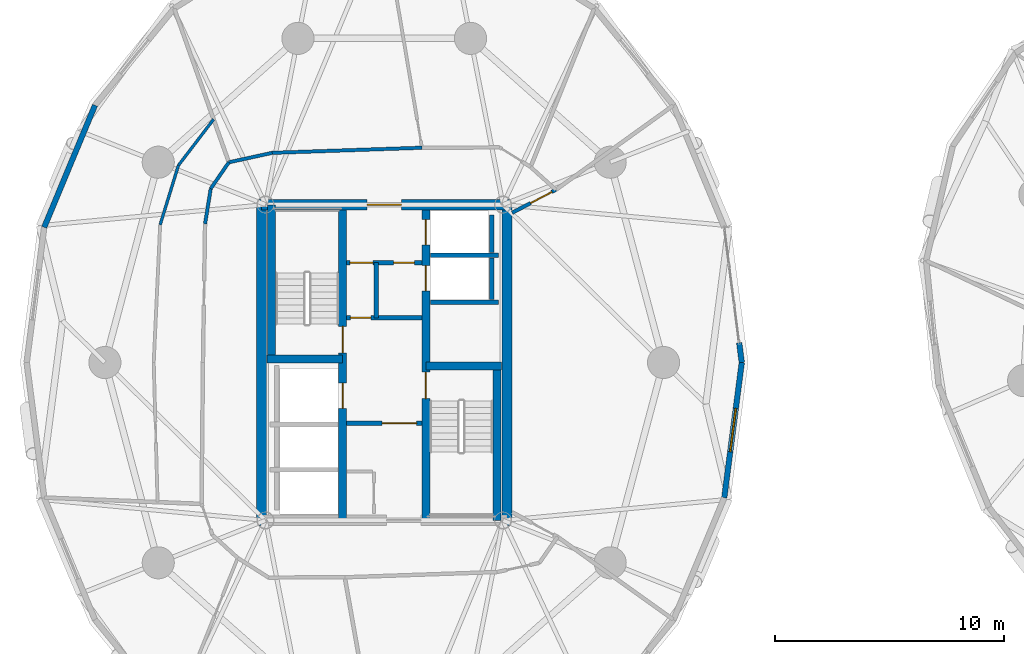
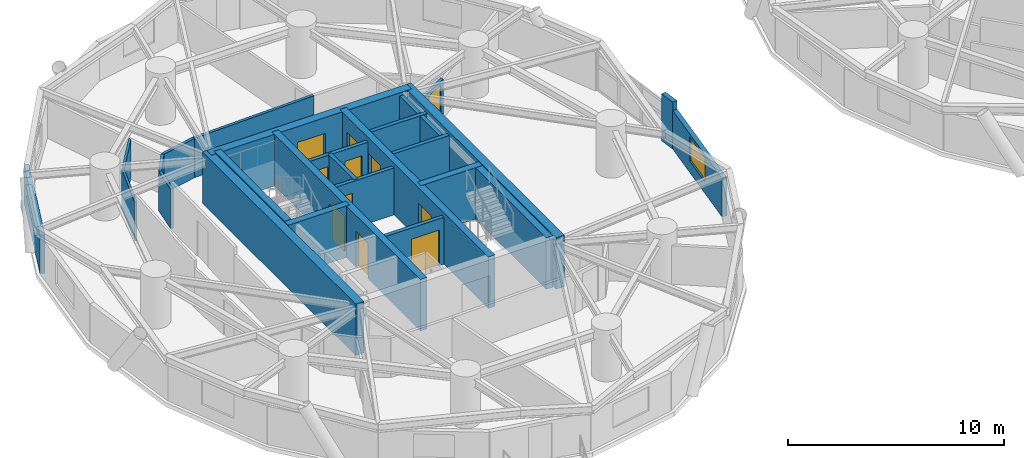
# One storey, part 10 of 17: 27 walls, 11 doors, 1 window, 12 openings.
"""IFC4 building model written with IfcOpenShell, lengths in metres."""

import ifcopenshell
import ifcopenshell.guid

model = None  # the IFC model being written
_history = None  # IfcOwnerHistory: only IFC2X3 demands one
_inside = {}  # id of a spatial element -> (the spatial element, [elements in it])
_under = {}  # id of a project, library or spatial element -> (it, [spatial elements below it])
_declared = {}  # id of a project -> (the project, [libraries it declares])
_typed = {}  # id of a type object -> (the type object, [elements of that type])
_made_of = {}  # id of a material, layer set ... -> (it, [elements and type objects made of it])


def new_model(schema):
    """Start an empty IFC model of exactly this schema.

    Asked for "IFC4X3", IfcOpenShell would pick the latest addendum, in which some entities
    have other attributes; the version numbers below select the first issue.
    IFC2X3 requires an IfcOwnerHistory on every rooted entity: one is made here for all.
    """
    global model, _history
    if schema == "IFC4X3":
        model = ifcopenshell.file(schema_version=(4, 3, 0, 0))
    else:
        model = ifcopenshell.file(schema=schema)
    _inside.clear()
    _under.clear()
    _declared.clear()
    _typed.clear()
    _made_of.clear()
    _history = None
    if model.schema == "IFC2X3":
        org = make("IfcOrganization", Name="unknown")
        user = make(
            "IfcPersonAndOrganization",
            ThePerson=make("IfcPerson", FamilyName="unknown"),
            TheOrganization=org,
        )
        app = make(
            "IfcApplication",
            ApplicationDeveloper=org,
            Version="unknown",
            ApplicationFullName="unknown",
            ApplicationIdentifier="unknown",
        )
        _history = make(
            "IfcOwnerHistory",
            OwningUser=user,
            OwningApplication=app,
            ChangeAction="ADDED",
            CreationDate=0,
        )
    return model


def make(cls, **values):
    """One entity of the class cls with the attributes given. An attribute that is None is left unset."""
    return model.create_entity(
        cls, **{name: value for name, value in values.items() if value is not None}
    )


def rooted(cls, **values):
    """An entity with a GlobalId (a new one), such as an element, a storey or a relation."""
    return make(cls, GlobalId=ifcopenshell.guid.new(), OwnerHistory=_history, **values)


def si_unit(unit_type, name, prefix=None):
    """IfcSIUnit, for example si_unit("LENGTHUNIT", "METRE", prefix="MILLI")."""
    return make("IfcSIUnit", UnitType=unit_type, Prefix=prefix, Name=name)


def assignment(units):
    """IfcUnitAssignment: the units of a project."""
    return None if units is None else make("IfcUnitAssignment", Units=units)


def point(xyz):
    """IfcCartesianPoint."""
    return None if xyz is None else make("IfcCartesianPoint", Coordinates=xyz)


def direction(xyz):
    """IfcDirection."""
    return None if xyz is None else make("IfcDirection", DirectionRatios=xyz)


def frame(location, z_axis=None, x_axis=None):
    """IfcAxis2Placement3D, a coordinate frame: its origin and axes. An axis left out is left unset."""
    return make(
        "IfcAxis2Placement3D",
        Location=point(location),
        Axis=direction(z_axis),
        RefDirection=direction(x_axis),
    )


def frame_2d(location, x_axis=None):
    """IfcAxis2Placement2D, a coordinate frame in the plane: its origin and x axis."""
    return make(
        "IfcAxis2Placement2D", Location=point(location), RefDirection=direction(x_axis)
    )


def origin():
    """The frame at (0, 0, 0) with its axes left unset."""
    return frame((0.0, 0.0, 0.0))


def place(relative_to, where):
    """IfcLocalPlacement: puts the frame where relative to a parent placement (None: the world)."""
    return make(
        "IfcLocalPlacement", PlacementRelTo=relative_to, RelativePlacement=where
    )


def context(
    kind, dimensions, precision=None, world=None, true_north=None, identifier=None
):
    """IfcGeometricRepresentationContext, for example the 3D "Model" context."""
    return make(
        "IfcGeometricRepresentationContext",
        ContextIdentifier=identifier,
        ContextType=kind,
        CoordinateSpaceDimension=dimensions,
        Precision=precision,
        WorldCoordinateSystem=world,
        TrueNorth=true_north,
    )


def subcontext(parent, identifier, kind, view, scale=None):
    """IfcGeometricRepresentationSubContext, for example "Body" below "Model"."""
    return make(
        "IfcGeometricRepresentationSubContext",
        ContextIdentifier=identifier,
        ContextType=kind,
        ParentContext=parent,
        TargetScale=scale,
        TargetView=view,
    )


def project(units=None, contexts=None):
    """IfcProject with its units and contexts."""
    return rooted(
        "IfcProject",
        Name="project",
        RepresentationContexts=contexts,
        UnitsInContext=assignment(units),
    )


def spatial(cls, under=None, at=None, **own):
    """A site, building, storey or space (cls), placed at a placement, below another one or the project."""
    s = rooted(cls, ObjectPlacement=at, **own)
    if under is not None:
        _under.setdefault(under.id(), (under, []))[1].append(s)
    return s


def profile(cls, at=None, kind="AREA", **sizes):
    """A parametric profile (cls). Its sizes go by their IFC names, for example OverallWidth=200.0."""
    return make(cls, ProfileType=kind, Position=at, **sizes)


def rectangle(**sizes):
    """IfcRectangleProfileDef."""
    return profile("IfcRectangleProfileDef", **sizes)


def extrude(swept, where, along, depth):
    """IfcExtrudedAreaSolid: the profile swept, set in the frame where, extruded along a direction by depth."""
    return make(
        "IfcExtrudedAreaSolid",
        SweptArea=swept,
        Position=where,
        ExtrudedDirection=direction(along),
        Depth=depth,
    )


def shape(context_of_items, identifier, shape_type, items):
    """IfcShapeRepresentation: the items that make up one representation, for example the "Body"."""
    return make(
        "IfcShapeRepresentation",
        ContextOfItems=context_of_items,
        RepresentationIdentifier=identifier,
        RepresentationType=shape_type,
        Items=items,
    )


def source(mapping_origin, context_of_items, identifier, shape_type, items):
    """IfcRepresentationMap: a shape defined once, which mapped items show again and again."""
    return make(
        "IfcRepresentationMap",
        MappingOrigin=mapping_origin,
        MappedRepresentation=shape(context_of_items, identifier, shape_type, items),
    )


def transform(
    local_origin,
    x_axis=None,
    y_axis=None,
    z_axis=None,
    scale=None,
    scale2=None,
    scale3=None,
    uniform=True,
):
    """IfcCartesianTransformationOperator3D, or its non-uniform kind. x_axis, y_axis, z_axis: its Axis1, 2, 3."""
    if uniform:
        return make(
            "IfcCartesianTransformationOperator3D",
            Axis1=direction(x_axis),
            Axis2=direction(y_axis),
            LocalOrigin=point(local_origin),
            Scale=scale,
            Axis3=direction(z_axis),
        )
    return make(
        "IfcCartesianTransformationOperator3DnonUniform",
        Axis1=direction(x_axis),
        Axis2=direction(y_axis),
        LocalOrigin=point(local_origin),
        Scale=scale,
        Axis3=direction(z_axis),
        Scale2=scale2,
        Scale3=scale3,
    )


def mapped(mapping_source, mapping_target):
    """IfcMappedItem: shows the shape of a source again, moved by a transform."""
    return make(
        "IfcMappedItem", MappingSource=mapping_source, MappingTarget=mapping_target
    )


def material(Name=None, Category=None):
    """IfcMaterial."""
    return make("IfcMaterial", Name=Name, Category=Category)


def layer(
    of_material, thickness, ventilated=None, Name=None, Category=None, Priority=None
):
    """IfcMaterialLayer: one layer of a wall or slab, of a material (None: an air gap)."""
    return make(
        "IfcMaterialLayer",
        Material=of_material,
        LayerThickness=thickness,
        IsVentilated=ventilated,
        Name=Name,
        Category=Category,
        Priority=Priority,
    )


def layer_set(layers, Name=None):
    """IfcMaterialLayerSet."""
    return make("IfcMaterialLayerSet", MaterialLayers=layers, LayerSetName=Name)


def made_of(thing, what):
    """Note that an element or type object is made of a material, layer set ...; save() writes the relation."""
    if what is not None:
        _made_of.setdefault(what.id(), (what, []))[1].append(thing)
    return thing


def type_object(cls, material=None, **own):
    """A type object (cls), such as IfcWallType, which elements share."""
    return made_of(rooted(cls, **own), material)


def element(
    cls,
    number,
    at=None,
    inside=None,
    cuts=None,
    type_object=None,
    material=None,
    context=None,
    identifier="Body",
    shape_type=None,
    held_by="IfcProductDefinitionShape",
    body=None,
    shapes=None,
    **own,
):
    """One element of the class cls, such as IfcWall. Its Tag is "e" and its number.

    at: its placement. inside: the storey or other place that contains it. cuts: it is an
    opening in that element (IfcRelVoidsElement). A single representation is given by context,
    identifier, shape_type and body (its items); several are given by shapes. held_by: the class
    of the entity that holds the representations. save() writes the other relations.
    """
    e = rooted(cls, Tag="e%d" % number, ObjectPlacement=at, **own)
    if body is not None:
        shapes = [shape(context, identifier, shape_type, body)]
    if shapes is not None:
        e.Representation = make(held_by, Representations=shapes)
    if inside is not None:
        _inside.setdefault(inside.id(), (inside, []))[1].append(e)
    if cuts is not None:
        rooted(
            "IfcRelVoidsElement", RelatingBuildingElement=cuts, RelatedOpeningElement=e
        )
    if type_object is not None:
        _typed.setdefault(type_object.id(), (type_object, []))[1].append(e)
    return made_of(e, material)


def fill(opening, filler):
    """IfcRelFillsElement: the door or window that sits in an opening."""
    return rooted(
        "IfcRelFillsElement",
        RelatingOpeningElement=opening,
        RelatedBuildingElement=filler,
    )


def aggregate(whole, parts):
    """IfcRelAggregates: a whole, such as a stair, and the parts it consists of."""
    return rooted("IfcRelAggregates", RelatingObject=whole, RelatedObjects=parts)


def save(model, path):
    """Write the relations noted so far, then the file.

    IfcRelAggregates (storeys below a building ...), IfcRelContainedInSpatialStructure (elements
    in a storey), IfcRelDefinesByType, IfcRelAssociatesMaterial and IfcRelDeclares: one each for
    every whole, place, type object, material and project.
    """
    for whole, parts in _under.values():
        aggregate(whole, parts)
    for where, things in _inside.values():
        rooted(
            "IfcRelContainedInSpatialStructure",
            RelatedElements=things,
            RelatingStructure=where,
        )
    for kind, things in _typed.values():
        rooted("IfcRelDefinesByType", RelatedObjects=things, RelatingType=kind)
    for what, things in _made_of.values():
        rooted("IfcRelAssociatesMaterial", RelatedObjects=things, RelatingMaterial=what)
    for by, libraries in _declared.values():
        rooted("IfcRelDeclares", RelatingContext=by, RelatedDefinitions=libraries)
    model.write(path)


model = new_model("IFC4")

# Units and contexts
model_context = context("Model", 3, precision=1e-05, world=origin(), true_north=direction((0.0, 1.0)))
body_context = subcontext(model_context, "Body", "Model", "MODEL_VIEW")
ifc_project = project(units=[si_unit("LENGTHUNIT", "METRE"), si_unit("AREAUNIT", "SQUARE_METRE"), si_unit("VOLUMEUNIT", "CUBIC_METRE"), si_unit("PLANEANGLEUNIT", "RADIAN"), si_unit("MASSUNIT", "GRAM", prefix="KILO")], contexts=[model_context])

# Site, building, storey
site_placement = place(None, origin())
site = spatial("IfcSite", under=ifc_project, at=site_placement, CompositionType="ELEMENT")
building_placement = place(site_placement, origin())
building = spatial("IfcBuilding", under=site, at=building_placement, Name="Cununo Teusaquillo Station Towers", CompositionType="ELEMENT")
storey_placement = place(building_placement, frame((0.0, 0.0, 113.800048828125)))
storey = spatial("IfcBuildingStorey", under=building, at=storey_placement, Name="L36", CompositionType="ELEMENT", Elevation=113.800048828125)

# Walls
ifc_material_1 = material(Name="Concrete C50/60", Category="concrete")
ifc_layer_1 = layer(ifc_material_1, 0.199951171875)
ifc_layer_set_1 = layer_set([ifc_layer_1], Name="Concrete C50/60")
wall_type_1 = type_object("IfcWallType", Name="WL-CORE-200", PredefinedType="SHEAR", material=ifc_layer_set_1)
for number, where, z_axis, x_axis, name in (
    (1, (18.510009765625, 27.1298828125, 0.0), (0.0, 0.0, 1.0), (1.0, 0.0, 0.0), "L36 Tower A Low-Rise Lift Hoistway South Shear Wall"),
    (2, (18.510009765625, 29.175048828125, 0.0), (0.0, 0.0, 1.0), (1.0, 0.0, 0.0), "L36 Tower A Low-Rise Lift Hoistway Divider Shear Wall"),
):
    element("IfcWall", number, at=place(storey_placement, frame(where, z_axis=z_axis, x_axis=x_axis)), inside=storey, type_object=wall_type_1, Name=name, PredefinedType="SHEAR", context=body_context, shape_type="SweptSolid", body=[
        extrude(rectangle(XDim=2.969970703125, YDim=0.199951171875, at=frame_2d((1.48486328125, 0.0))), origin(), (0.0, 0.0, 1.0), 2.909912109375),
    ])
wall_1_placement = place(storey_placement, frame((21.179931640625, 27.25, 0.0), z_axis=(0.0, 0.0, 1.0), x_axis=(0.0, 1.0, 0.0)))
element("IfcWall", 3, at=wall_1_placement, inside=storey, type_object=wall_type_1, Name="L36 Tower A Low-Rise Lift 1 Shaft Rear Shear Wall", PredefinedType="SHEAR", context=body_context, shape_type="SweptSolid", body=[
    extrude(rectangle(XDim=1.804931640625, YDim=0.199951171875, at=frame_2d((0.90234375, 0.0))), origin(), (0.0, 0.0, 1.0), 2.909912109375),
])
wall_2_placement = place(storey_placement, frame((21.179931640625, 29.294921875, 0.0), z_axis=(0.0, 0.0, 1.0), x_axis=(0.0, 1.0, 0.0)))
element("IfcWall", 4, at=wall_2_placement, inside=storey, type_object=wall_type_1, Name="L36 Tower A Low-Rise Lift 2 Shaft Rear Shear Wall", PredefinedType="SHEAR", context=body_context, shape_type="SweptSolid", body=[
    extrude(rectangle(XDim=1.635009765625, YDim=0.199951171875, at=frame_2d((0.8173828125, 0.0))), origin(), (0.0, 0.0, 1.0), 2.909912109375),
])

# Wall, openings, doors
ifc_material_2 = material(Name="Concrete C50/60", Category="concrete")
ifc_layer_2 = layer(ifc_material_2, 0.35009765625)
ifc_layer_set_2 = layer_set([ifc_layer_2], Name="Concrete C50/60")
wall_type_2 = type_object("IfcWallType", Name="WL-CORE-350", PredefinedType="SHEAR", material=ifc_layer_set_2)
wall_3_placement = place(storey_placement, frame((14.68505859375, 17.625, 0.0), z_axis=(0.0, 0.0, 1.0), x_axis=(0.0, 1.0, 0.0)))
wall_3 = element("IfcWall", 5, at=wall_3_placement, inside=storey, type_object=wall_type_2, Name="L36 Tower A Core Shear Wall IW", PredefinedType="SHEAR", context=body_context, shape_type="SweptSolid", body=[
    extrude(rectangle(XDim=13.75, YDim=0.35009765625, at=frame_2d((6.875, 0.0))), origin(), (0.0, 0.0, 1.0), 2.909912109375),
])
shared_shape_1 = source(origin(), body_context, "Body", "SweptSolid", [
    extrude(rectangle(XDim=1.10009765625, YDim=2.014892578125, at=frame_2d((0.550048828125, 1.00732421875))), frame((0.0, 0.18505859375, 0.0), z_axis=(0.0, -1.0, 0.0), x_axis=(1.0, 0.0, 0.0)), (0.0, 0.0, 1.0), 0.3701171875),
])
opening_1_placement = place(wall_3_placement, frame((4.875, 0.0, 0.0)))
opening_1 = element("IfcOpeningElement", 6, at=opening_1_placement, cuts=wall_3, Name="Opening LD-01", PredefinedType="OPENING", context=body_context, shape_type="MappedRepresentation", body=[
    mapped(shared_shape_1, transform((0.0, 0.0, 0.0), x_axis=(1.0, 0.0, 0.0), y_axis=(0.0, 1.0, 0.0), z_axis=(0.0, 0.0, 1.0), scale=1.0)),
])
shared_shape_2 = source(origin(), body_context, "Body", "SweptSolid", [
    extrude(rectangle(XDim=1.14990234375, YDim=2.02001953125, at=frame_2d((0.574951171875, 1.010009765625))), frame((0.0, 0.18505859375, 0.0), z_axis=(0.0, -1.0, 0.0), x_axis=(1.0, 0.0, 0.0)), (0.0, 0.0, 1.0), 0.3701171875),
])
opening_2_placement = place(wall_3_placement, frame((7.294921875, 0.0, 0.0)))
opening_2 = element("IfcOpeningElement", 7, at=opening_2_placement, cuts=wall_3, Name="Opening D-ST1", PredefinedType="OPENING", context=body_context, shape_type="MappedRepresentation", body=[
    mapped(shared_shape_2, transform((0.0, 0.0, 0.0), x_axis=(1.0, 0.0, 0.0), y_axis=(0.0, 1.0, 0.0), z_axis=(0.0, 0.0, 1.0), scale=1.0)),
])
ifc_material_3 = material(Name="Galvanised fire-rated hollow steel door assembly", Category="steel")
door_type_1 = type_object("IfcDoorType", Name="DR-LIFT-1100", OperationType="SLIDING_TO_LEFT", PredefinedType="DOOR", material=ifc_material_3)
shared_shape_3 = source(origin(), body_context, "Body", "SweptSolid", [
    extrude(rectangle(XDim=1.10009765625, YDim=2.014892578125, at=frame_2d((0.550048828125, 1.00732421875))), frame((0.0, 0.02490234375, 0.0), z_axis=(0.0, -1.0, 0.0), x_axis=(1.0, 0.0, 0.0)), (0.0, 0.0, 1.0), 0.050048828125),
])
door_1_placement = place(opening_1_placement, origin())
door_1 = element("IfcDoor", 8, at=door_1_placement, inside=storey, type_object=door_type_1, Name="L36 Lift FL-T1 Sliding Landing Door", OperationType="SLIDING_TO_LEFT", OverallHeight=2.014892578125, OverallWidth=1.10009765625, PredefinedType="DOOR", context=body_context, shape_type="MappedRepresentation", body=[
    mapped(shared_shape_3, transform((0.0, 0.0, 0.0), x_axis=(1.0, 0.0, 0.0), y_axis=(0.0, 1.0, 0.0), z_axis=(0.0, 0.0, 1.0), scale=1.0)),
])
fill(opening_1, door_1)
ifc_material_4 = material(Name="Galvanised fire-rated hollow steel door assembly", Category="steel")
door_type_2 = type_object("IfcDoorType", Name="DR-STAIR-1150", OperationType="NOTDEFINED", PredefinedType="DOOR", material=ifc_material_4)
shared_shape_4 = source(origin(), body_context, "Body", "SweptSolid", [
    extrude(rectangle(XDim=1.14990234375, YDim=2.02001953125, at=frame_2d((0.574951171875, 1.010009765625))), frame((0.0, 0.02490234375, 0.0), z_axis=(0.0, -1.0, 0.0), x_axis=(1.0, 0.0, 0.0)), (0.0, 0.0, 1.0), 0.050048828125),
])
door_2_placement = place(opening_2_placement, origin())
door_2 = element("IfcDoor", 9, at=door_2_placement, inside=storey, type_object=door_type_2, Name="L36 Tower A Exit Stair 1 Fire Door", OperationType="SINGLE_SWING_RIGHT", OverallHeight=2.02001953125, OverallWidth=1.14990234375, PredefinedType="DOOR", context=body_context, shape_type="MappedRepresentation", body=[
    mapped(shared_shape_4, transform((0.0, 0.0, 0.0), x_axis=(1.0, 0.0, 0.0), y_axis=(0.0, 1.0, 0.0), z_axis=(0.0, 0.0, 1.0), scale=1.0)),
])
fill(opening_2, door_2)

wall_4_placement = place(storey_placement, frame((18.31494140625, 17.625, 0.0), z_axis=(0.0, 0.0, 1.0), x_axis=(0.0, 1.0, 0.0)))
wall_4 = element("IfcWall", 10, at=wall_4_placement, inside=storey, type_object=wall_type_2, Name="L36 Tower A Core Shear Wall IE", PredefinedType="SHEAR", context=body_context, shape_type="SweptSolid", body=[
    extrude(rectangle(XDim=13.75, YDim=0.35009765625, at=frame_2d((6.875, 0.0))), origin(), (0.0, 0.0, 1.0), 2.909912109375),
])
opening_3_placement = place(wall_4_placement, frame((10.0, 0.0, 0.0)))
opening_3 = element("IfcOpeningElement", 11, at=opening_3_placement, cuts=wall_4, Name="Opening LD-01", PredefinedType="OPENING", context=body_context, shape_type="MappedRepresentation", body=[
    mapped(shared_shape_1, transform((0.0, 0.0, 0.0), x_axis=(1.0, 0.0, 0.0), y_axis=(0.0, 1.0, 0.0), z_axis=(0.0, 0.0, 1.0), scale=1.0)),
])
opening_4_placement = place(wall_4_placement, frame((12.0, 0.0, 0.0)))
opening_4 = element("IfcOpeningElement", 12, at=opening_4_placement, cuts=wall_4, Name="Opening LD-01", PredefinedType="OPENING", context=body_context, shape_type="MappedRepresentation", body=[
    mapped(shared_shape_1, transform((0.0, 0.0, 0.0), x_axis=(1.0, 0.0, 0.0), y_axis=(0.0, 1.0, 0.0), z_axis=(0.0, 0.0, 1.0), scale=1.0)),
])
opening_5_placement = place(wall_4_placement, frame((5.304931640625, 0.0, 0.0)))
opening_5 = element("IfcOpeningElement", 13, at=opening_5_placement, cuts=wall_4, Name="Opening D-ST1", PredefinedType="OPENING", context=body_context, shape_type="MappedRepresentation", body=[
    mapped(shared_shape_2, transform((0.0, 0.0, 0.0), x_axis=(1.0, 0.0, 0.0), y_axis=(0.0, 1.0, 0.0), z_axis=(0.0, 0.0, 1.0), scale=1.0)),
])
door_3_placement = place(opening_3_placement, origin())
door_3 = element("IfcDoor", 14, at=door_3_placement, inside=storey, type_object=door_type_1, Name="L36 Lift PL-T1-L1 Sliding Landing Door", OperationType="SLIDING_TO_LEFT", OverallHeight=2.014892578125, OverallWidth=1.10009765625, PredefinedType="DOOR", context=body_context, shape_type="MappedRepresentation", body=[
    mapped(shared_shape_3, transform((0.0, 0.0, 0.0), x_axis=(1.0, 0.0, 0.0), y_axis=(0.0, 1.0, 0.0), z_axis=(0.0, 0.0, 1.0), scale=1.0)),
])
fill(opening_3, door_3)
door_4_placement = place(opening_4_placement, origin())
door_4 = element("IfcDoor", 15, at=door_4_placement, inside=storey, type_object=door_type_1, Name="L36 Lift PL-T1-L2 Sliding Landing Door", OperationType="SLIDING_TO_RIGHT", OverallHeight=2.014892578125, OverallWidth=1.10009765625, PredefinedType="DOOR", context=body_context, shape_type="MappedRepresentation", body=[
    mapped(shared_shape_3, transform((0.0, 0.0, 0.0), x_axis=(1.0, 0.0, 0.0), y_axis=(0.0, 1.0, 0.0), z_axis=(0.0, 0.0, 1.0), scale=1.0)),
])
fill(opening_4, door_4)
door_5_placement = place(opening_5_placement, origin())
door_5 = element("IfcDoor", 16, at=door_5_placement, inside=storey, type_object=door_type_2, Name="L36 Tower A Exit Stair 2 Fire Door", OperationType="SINGLE_SWING_LEFT", OverallHeight=2.02001953125, OverallWidth=1.14990234375, PredefinedType="DOOR", context=body_context, shape_type="MappedRepresentation", body=[
    mapped(shared_shape_4, transform((0.0, 0.0, 0.0), x_axis=(1.0, 0.0, 0.0), y_axis=(0.0, 1.0, 0.0), z_axis=(0.0, 0.0, 1.0), scale=1.0)),
])
fill(opening_5, door_5)

# Walls
wall_5_placement = place(storey_placement, frame((11.594970703125, 24.655029296875, 0.0), z_axis=(0.0, 0.0, 1.0), x_axis=(0.0, 1.0, 0.0)))
element("IfcWall", 17, at=wall_5_placement, inside=storey, type_object=wall_type_2, Name="L36 Tower A Core Shear Wall ST1W", PredefinedType="SHEAR", context=body_context, shape_type="SweptSolid", body=[
    extrude(rectangle(XDim=6.719970703125, YDim=0.35009765625, at=frame_2d((3.35986328125, 0.0))), origin(), (0.0, 0.0, 1.0), 2.909912109375),
])
wall_6_placement = place(storey_placement, frame((11.39990234375, 24.655029296875, 0.0), z_axis=(0.0, 0.0, 1.0), x_axis=(1.0, 0.0, 0.0)))
element("IfcWall", 18, at=wall_6_placement, inside=storey, type_object=wall_type_2, Name="L36 Tower A Core Shear Wall ST1S", PredefinedType="SHEAR", context=body_context, shape_type="SweptSolid", body=[
    extrude(rectangle(XDim=3.28515625, YDim=0.35009765625, at=frame_2d((1.642578125, 0.0))), origin(), (0.0, 0.0, 1.0), 2.909912109375),
])
wall_7_placement = place(storey_placement, frame((21.405029296875, 17.625, 0.0), z_axis=(0.0, 0.0, 1.0), x_axis=(0.0, 1.0, 0.0)))
element("IfcWall", 19, at=wall_7_placement, inside=storey, type_object=wall_type_2, Name="L36 Tower A Core Shear Wall ST2E", PredefinedType="SHEAR", context=body_context, shape_type="SweptSolid", body=[
    extrude(rectangle(XDim=6.719970703125, YDim=0.35009765625, at=frame_2d((3.35986328125, 0.0))), origin(), (0.0, 0.0, 1.0), 2.909912109375),
])
wall_8_placement = place(storey_placement, frame((18.31494140625, 24.344970703125, 0.0), z_axis=(0.0, 0.0, 1.0), x_axis=(1.0, 0.0, 0.0)))
element("IfcWall", 20, at=wall_8_placement, inside=storey, type_object=wall_type_2, Name="L36 Tower A Core Shear Wall ST2N", PredefinedType="SHEAR", context=body_context, shape_type="SweptSolid", body=[
    extrude(rectangle(XDim=3.28515625, YDim=0.35009765625, at=frame_2d((1.642578125, 0.0))), origin(), (0.0, 0.0, 1.0), 2.909912109375),
])
ifc_material_5 = material(Name="Concrete C60/75", Category="concrete")
ifc_layer_3 = layer(ifc_material_5, 0.449951171875)
ifc_layer_set_3 = layer_set([ifc_layer_3], Name="Concrete C60/75")
wall_type_3 = type_object("IfcWallType", Name="WL-CORE-450", PredefinedType="SHEAR", material=ifc_layer_set_3)
for number, where, z_axis, x_axis, name in (
    (21, (11.14990234375, 17.39990234375, 0.0), (0.0, 0.0, 1.0), (0.0, 1.0, 0.0), "L36 Tower A Core Shear Wall W"),
    (22, (21.85009765625, 17.39990234375, 0.0), (0.0, 0.0, 1.0), (0.0, 1.0, 0.0), "L36 Tower A Core Shear Wall E"),
):
    element("IfcWall", number, at=place(storey_placement, frame(where, z_axis=z_axis, x_axis=x_axis)), inside=storey, type_object=wall_type_3, Name=name, PredefinedType="SHEAR", context=body_context, shape_type="SweptSolid", body=[
        extrude(rectangle(XDim=14.2001953125, YDim=0.449951171875, at=frame_2d((7.10009765625, 0.0))), origin(), (0.0, 0.0, 1.0), 2.909912109375),
    ])

# Wall, opening, door
wall_9_placement = place(storey_placement, frame((11.14990234375, 31.375, 0.0), z_axis=(0.0, 0.0, 1.0), x_axis=(1.0, 0.0, 0.0)))
wall_9 = element("IfcWall", 23, at=wall_9_placement, inside=storey, type_object=wall_type_3, Name="L36 Tower A Core Shear Wall N", PredefinedType="SHEAR", context=body_context, shape_type="SweptSolid", body=[
    extrude(rectangle(XDim=10.7001953125, YDim=0.449951171875, at=frame_2d((5.35009765625, 0.0))), origin(), (0.0, 0.0, 1.0), 2.909912109375),
])
shared_shape_5 = source(origin(), body_context, "Body", "SweptSolid", [
    extrude(rectangle(XDim=1.5, YDim=2.02001953125, at=frame_2d((0.75, 1.010009765625))), frame((0.0, 0.23486328125, 0.0), z_axis=(0.0, -1.0, 0.0), x_axis=(1.0, 0.0, 0.0)), (0.0, 0.0, 1.0), 0.469970703125),
])
opening_6_placement = place(wall_9_placement, frame((4.60009765625, 0.0, 0.0)))
opening_6 = element("IfcOpeningElement", 24, at=opening_6_placement, cuts=wall_9, Name="Opening D-LB1", PredefinedType="OPENING", context=body_context, shape_type="MappedRepresentation", body=[
    mapped(shared_shape_5, transform((0.0, 0.0, 0.0), x_axis=(1.0, 0.0, 0.0), y_axis=(0.0, 1.0, 0.0), z_axis=(0.0, 0.0, 1.0), scale=1.0)),
])
ifc_material_6 = material(Name="Galvanised fire-rated hollow steel door assembly", Category="steel")
door_type_3 = type_object("IfcDoorType", Name="DR-LOBBY-1500", OperationType="DOUBLE_DOOR_SINGLE_SWING", PredefinedType="DOOR", material=ifc_material_6)
shared_shape_6 = source(origin(), body_context, "Body", "SweptSolid", [
    extrude(rectangle(XDim=1.5, YDim=2.02001953125, at=frame_2d((0.75, 1.010009765625))), frame((0.0, 0.02490234375, 0.0), z_axis=(0.0, -1.0, 0.0), x_axis=(1.0, 0.0, 0.0)), (0.0, 0.0, 1.0), 0.050048828125),
])
door_6_placement = place(opening_6_placement, origin())
door_6 = element("IfcDoor", 25, at=door_6_placement, inside=storey, type_object=door_type_3, Name="L36 Tower A North Core Lift Lobby Door", OperationType="DOUBLE_DOOR_SINGLE_SWING", OverallHeight=2.02001953125, OverallWidth=1.5, PredefinedType="DOOR", context=body_context, shape_type="MappedRepresentation", body=[
    mapped(shared_shape_6, transform((0.0, 0.0, 0.0), x_axis=(1.0, 0.0, 0.0), y_axis=(0.0, 1.0, 0.0), z_axis=(0.0, 0.0, 1.0), scale=1.0)),
])
fill(opening_6, door_6)

# Walls
ifc_material_7 = material(Name="Precast concrete C40/50", Category="concrete")
ifc_layer_4 = layer(ifc_material_7, 0.239990234375)
ifc_layer_set_4 = layer_set([ifc_layer_4], Name="Precast concrete C40/50")
wall_type_4 = type_object("IfcWallType", Name="WL-EXT-240", PredefinedType="SOLIDWALL", material=ifc_layer_set_4)
wall_10_placement = place(storey_placement, frame((31.96923828125, 25.36279296875, 0.0), z_axis=(0.0, 0.0, 1.0), x_axis=(0.128523364007, -0.991706481225, 0.0)))
element("IfcWall", 26, at=wall_10_placement, inside=storey, type_object=wall_type_4, Name="L36 Tower A Column Pier Cladding Wall C00-PB", PredefinedType="SOLIDWALL", context=body_context, shape_type="SweptSolid", body=[
    extrude(rectangle(XDim=0.8701171875, YDim=0.239990234375, at=frame_2d((0.43505859375, 0.0))), origin(), (0.0, 0.0, 1.0), 2.655029296875),
])
wall_11_placement = place(storey_placement, frame((1.681640625, 30.39306640625, 0.0), z_axis=(0.0, 0.0, 1.0), x_axis=(0.384344417632, 0.923189779317, 0.0)))
element("IfcWall", 27, at=wall_11_placement, inside=storey, type_object=wall_type_4, Name="L36 Tower A Exterior Facade Wall C08", PredefinedType="SOLIDWALL", context=body_context, shape_type="SweptSolid", body=[
    extrude(rectangle(XDim=5.75830078125, YDim=0.239990234375, at=frame_2d((2.879150390625, 0.0))), origin(), (0.0, 0.0, 1.0), 2.178955078125),
])

# Wall, opening, window
wall_12_placement = place(storey_placement, frame((32.0810546875, 24.5, 0.0), z_axis=(0.0, 0.0, 1.0), x_axis=(-0.128351991996, -0.991728675672, 0.0)))
wall_12 = element("IfcWall", 28, at=wall_12_placement, inside=storey, type_object=wall_type_4, Name="L36 Tower A Exterior Facade Wall C19", PredefinedType="SOLIDWALL", context=body_context, shape_type="SweptSolid", body=[
    extrude(rectangle(XDim=5.942138671875, YDim=0.239990234375, at=frame_2d((2.97119140625, 0.0))), origin(), (0.0, 0.0, 1.0), 2.178955078125),
])
shared_shape_7 = source(origin(), body_context, "Body", "SweptSolid", [
    extrude(rectangle(XDim=1.89990234375, YDim=1.35009765625, at=frame_2d((0.949951171875, 0.675048828125))), frame((0.0, 0.1298828125, 0.0), z_axis=(0.0, -1.0, 0.0), x_axis=(1.0, 0.0, 0.0)), (0.0, 0.0, 1.0), 0.260009765625),
])
opening_7_placement = place(wall_12_placement, frame((2.02099609375, 0.0, 0.64990234375)))
opening_7 = element("IfcOpeningElement", 29, at=opening_7_placement, cuts=wall_12, Name="Opening WN-02", PredefinedType="OPENING", context=body_context, shape_type="MappedRepresentation", body=[
    mapped(shared_shape_7, transform((0.0, 0.0, 0.0), x_axis=(1.0, 0.0, 0.0), y_axis=(0.0, 1.0, 0.0), z_axis=(0.0, 0.0, 1.0), scale=1.0)),
])
ifc_material_8 = material(Name="Operable acoustic tinted low-E double glazing", Category="glass")
window_type = type_object("IfcWindowType", Name="WIN-OPER-1900", PartitioningType="DOUBLE_PANEL_VERTICAL", PredefinedType="WINDOW", material=ifc_material_8)
shared_shape_8 = source(origin(), body_context, "Body", "SweptSolid", [
    extrude(rectangle(XDim=1.89990234375, YDim=1.35009765625, at=frame_2d((0.949951171875, 0.675048828125))), frame((0.0, 0.030029296875, 0.0), z_axis=(0.0, -1.0, 0.0), x_axis=(1.0, 0.0, 0.0)), (0.0, 0.0, 1.0), 0.06005859375),
])
window_placement = place(opening_7_placement, origin())
window = element("IfcWindow", 30, at=window_placement, inside=storey, type_object=window_type, Name="L36 Tower A Facade Window C19", OverallHeight=1.35009765625, OverallWidth=1.89990234375, PartitioningType="DOUBLE_PANEL_VERTICAL", PredefinedType="WINDOW", context=body_context, shape_type="MappedRepresentation", body=[
    mapped(shared_shape_8, transform((0.0, 0.0, 0.0), x_axis=(1.0, 0.0, 0.0), y_axis=(0.0, 1.0, 0.0), z_axis=(0.0, 0.0, 1.0), scale=1.0)),
])
fill(opening_7, window)

# Walls
ifc_material_9 = material(Name="Fire-rated gypsum plasterboard partition assembly", Category="gypsum")
ifc_layer_5 = layer(ifc_material_9, 0.125)
ifc_layer_set_5 = layer_set([ifc_layer_5], Name="Fire-rated gypsum plasterboard partition assembly")
wall_type_5 = type_object("IfcWallType", Name="WL-PART-125", PredefinedType="PARTITIONING", material=ifc_layer_set_5)
wall_13_placement = place(storey_placement, frame((9.064208984375, 35.09716796875, 0.0), z_axis=(0.0, 0.0, 1.0), x_axis=(-0.607126893664, -0.794604892377, 0.0)))
element("IfcWall", 31, at=wall_13_placement, inside=storey, type_object=wall_type_5, Name="L36 Tower A Corporate Strategy Boardroom Concentric Partition Wall C07", PredefinedType="PARTITIONING", context=body_context, shape_type="SweptSolid", body=[
    extrude(rectangle(XDim=2.523681640625, YDim=0.125, at=frame_2d((1.26171875, 0.0))), origin(), (0.0, 0.0, 1.0), 2.178955078125),
])
wall_14_placement = place(storey_placement, frame((7.531982421875, 33.091796875, 0.0), z_axis=(0.0, 0.0, 1.0), x_axis=(-0.293965637063, -0.955815988685, 0.0)))
element("IfcWall", 32, at=wall_14_placement, inside=storey, type_object=wall_type_5, Name="L36 Tower A Corporate Strategy Boardroom Concentric Partition Wall C08", PredefinedType="PARTITIONING", context=body_context, shape_type="SweptSolid", body=[
    extrude(rectangle(XDim=2.711669921875, YDim=0.125, at=frame_2d((1.35595703125, 0.0))), origin(), (0.0, 0.0, 1.0), 2.224853515625),
])
ifc_material_10 = material(Name="Fire-rated gypsum plasterboard partition assembly", Category="gypsum")
ifc_layer_6 = layer(ifc_material_10, 0.14990234375)
ifc_layer_set_6 = layer_set([ifc_layer_6], Name="Fire-rated gypsum plasterboard partition assembly")
wall_type_6 = type_object("IfcWallType", Name="WL-PART-150", PredefinedType="PARTITIONING", material=ifc_layer_set_6)
wall_15_placement = place(storey_placement, frame((18.142822265625, 33.859619140625, 0.0), z_axis=(0.0, 0.0, 1.0), x_axis=(-0.999419208319, -0.034077060363, 0.0)))
element("IfcWall", 33, at=wall_15_placement, inside=storey, type_object=wall_type_6, Name="L36 Tower A Corridor Ring Wall C05", PredefinedType="PARTITIONING", context=body_context, shape_type="SweptSolid", body=[
    extrude(rectangle(XDim=6.52685546875, YDim=0.14990234375, at=frame_2d((3.263427734375, 0.0))), origin(), (0.0, 0.0, 1.0), 2.224853515625),
])
wall_16_placement = place(storey_placement, frame((11.619873046875, 33.63720703125, 0.0), z_axis=(0.0, 0.0, 1.0), x_axis=(-0.97702579435, -0.213121085711, 0.0)))
element("IfcWall", 34, at=wall_16_placement, inside=storey, type_object=wall_type_6, Name="L36 Tower A Corridor Ring Wall C06", PredefinedType="PARTITIONING", context=body_context, shape_type="SweptSolid", body=[
    extrude(rectangle(XDim=1.934814453125, YDim=0.14990234375, at=frame_2d((0.96728515625, 0.0))), origin(), (0.0, 0.0, 1.0), 2.224853515625),
])
wall_17_placement = place(storey_placement, frame((9.7294921875, 33.224853515625, 0.0), z_axis=(0.0, 0.0, 1.0), x_axis=(-0.567183649484, -0.82359134755, 0.0)))
element("IfcWall", 35, at=wall_17_placement, inside=storey, type_object=wall_type_6, Name="L36 Tower A Corridor Ring Wall C07", PredefinedType="PARTITIONING", context=body_context, shape_type="SweptSolid", body=[
    extrude(rectangle(XDim=1.39208984375, YDim=0.14990234375, at=frame_2d((0.696044921875, 0.0))), origin(), (0.0, 0.0, 1.0), 2.224853515625),
])
wall_18_placement = place(storey_placement, frame((8.93994140625, 32.078369140625, 0.0), z_axis=(0.0, 0.0, 1.0), x_axis=(-0.159148467753, -0.98725466077, 0.0)))
element("IfcWall", 36, at=wall_18_placement, inside=storey, type_object=wall_type_6, Name="L36 Tower A Corridor Ring Wall C08", PredefinedType="PARTITIONING", context=body_context, shape_type="SweptSolid", body=[
    extrude(rectangle(XDim=1.553955078125, YDim=0.14990234375, at=frame_2d((0.77685546875, 0.0))), origin(), (0.0, 0.0, 1.0), 2.224853515625),
])

# Wall, opening, door
ifc_material_11 = material(Name="Fire-rated gypsum plasterboard partition assembly", Category="gypsum")
ifc_layer_7 = layer(ifc_material_11, 0.159912109375)
ifc_layer_set_7 = layer_set([ifc_layer_7], Name="Fire-rated gypsum plasterboard partition assembly")
wall_type_7 = type_object("IfcWallType", Name="WL-PART-160", PredefinedType="PARTITIONING", material=ifc_layer_set_7)
wall_19_placement = place(storey_placement, frame((22.074951171875, 31.02490234375, 0.0), z_axis=(0.0, 0.0, 1.0), x_axis=(0.885026466958, 0.465540710125, 0.0)))
wall_19 = element("IfcWall", 37, at=wall_19_placement, inside=storey, type_object=wall_type_7, Name="L36 Tower A East Salon Corridor Portal Wall NE", PredefinedType="PARTITIONING", context=body_context, shape_type="SweptSolid", body=[
    extrude(rectangle(XDim=2.15234375, YDim=0.159912109375, at=frame_2d((1.076171875, 0.0))), origin(), (0.0, 0.0, 1.0), 2.224853515625),
])
shared_shape_9 = source(origin(), body_context, "Body", "SweptSolid", [
    extrude(rectangle(XDim=1.050048828125, YDim=2.014892578125, at=frame_2d((0.52490234375, 1.00732421875))), frame((0.0, 0.08984375, 0.0), z_axis=(0.0, -1.0, 0.0), x_axis=(1.0, 0.0, 0.0)), (0.0, 0.0, 1.0), 0.179931640625),
])
opening_8_placement = place(wall_19_placement, frame((0.902099609375, 0.0, 0.0)))
opening_8 = element("IfcOpeningElement", 38, at=opening_8_placement, cuts=wall_19, Name="Opening D-SU1", PredefinedType="OPENING", context=body_context, shape_type="MappedRepresentation", body=[
    mapped(shared_shape_9, transform((0.0, 0.0, 0.0), x_axis=(1.0, 0.0, 0.0), y_axis=(0.0, 1.0, 0.0), z_axis=(0.0, 0.0, 1.0), scale=1.0)),
])
ifc_material_12 = material(Name="Acoustic solid-core hardwood leaf assembly", Category="wood")
door_type_4 = type_object("IfcDoorType", Name="DR-SUITE-1050", OperationType="NOTDEFINED", PredefinedType="DOOR", material=ifc_material_12)
shared_shape_10 = source(origin(), body_context, "Body", "SweptSolid", [
    extrude(rectangle(XDim=1.050048828125, YDim=2.014892578125, at=frame_2d((0.52490234375, 1.00732421875))), frame((0.0, 0.02490234375, 0.0), z_axis=(0.0, -1.0, 0.0), x_axis=(1.0, 0.0, 0.0)), (0.0, 0.0, 1.0), 0.050048828125),
])
door_7_placement = place(opening_8_placement, origin())
door_7 = element("IfcDoor", 39, at=door_7_placement, inside=storey, type_object=door_type_4, Name="L36 Tower A East Panorama Sky Salon Door NE", OperationType="SINGLE_SWING_RIGHT", OverallHeight=2.014892578125, OverallWidth=1.050048828125, PredefinedType="DOOR", context=body_context, shape_type="MappedRepresentation", body=[
    mapped(shared_shape_10, transform((0.0, 0.0, 0.0), x_axis=(1.0, 0.0, 0.0), y_axis=(0.0, 1.0, 0.0), z_axis=(0.0, 0.0, 1.0), scale=1.0)),
])
fill(opening_8, door_7)

ifc_material_13 = material(Name="Fire-rated gypsum plasterboard partition assembly", Category="gypsum")
ifc_layer_8 = layer(ifc_material_13, 0.199951171875)
ifc_layer_set_8 = layer_set([ifc_layer_8], Name="Fire-rated gypsum plasterboard partition assembly")
wall_type_8 = type_object("IfcWallType", Name="WL-PART-200", PredefinedType="PARTITIONING", material=ifc_layer_set_8)
wall_20_placement = place(storey_placement, frame((14.860107421875, 21.85009765625, 0.0), z_axis=(0.0, 0.0, 1.0), x_axis=(1.0, 0.0, 0.0)))
wall_20 = element("IfcWall", 40, at=wall_20_placement, inside=storey, type_object=wall_type_8, Name="L36 Tower A Firefighting Lift Lobby South Fire Wall", PredefinedType="PARTITIONING", context=body_context, shape_type="SweptSolid", body=[
    extrude(rectangle(XDim=3.27978515625, YDim=0.199951171875, at=frame_2d((1.639892578125, 0.0))), origin(), (0.0, 0.0, 1.0), 2.655029296875),
])
shared_shape_11 = source(origin(), body_context, "Body", "SweptSolid", [
    extrude(rectangle(XDim=1.5, YDim=2.02001953125, at=frame_2d((0.75, 1.010009765625))), frame((0.0, 0.10986328125, 0.0), z_axis=(0.0, -1.0, 0.0), x_axis=(1.0, 0.0, 0.0)), (0.0, 0.0, 1.0), 0.219970703125),
])
opening_9_placement = place(wall_20_placement, frame((1.550048828125, 0.0, 0.0)))
opening_9 = element("IfcOpeningElement", 41, at=opening_9_placement, cuts=wall_20, Name="Opening D-LB1", PredefinedType="OPENING", context=body_context, shape_type="MappedRepresentation", body=[
    mapped(shared_shape_11, transform((0.0, 0.0, 0.0), x_axis=(1.0, 0.0, 0.0), y_axis=(0.0, 1.0, 0.0), z_axis=(0.0, 0.0, 1.0), scale=1.0)),
])
door_8_placement = place(opening_9_placement, origin())
door_8 = element("IfcDoor", 42, at=door_8_placement, inside=storey, type_object=door_type_3, Name="L36 Tower A Firefighting Lift Lobby South Fire Door", OperationType="DOUBLE_DOOR_SINGLE_SWING", OverallHeight=2.02001953125, OverallWidth=1.5, PredefinedType="DOOR", context=body_context, shape_type="MappedRepresentation", body=[
    mapped(shared_shape_6, transform((0.0, 0.0, 0.0), x_axis=(1.0, 0.0, 0.0), y_axis=(0.0, 1.0, 0.0), z_axis=(0.0, 0.0, 1.0), scale=1.0)),
])
fill(opening_9, door_8)

wall_21_placement = place(storey_placement, frame((14.860107421875, 26.449951171875, 0.0), z_axis=(0.0, 0.0, 1.0), x_axis=(1.0, 0.0, 0.0)))
wall_21 = element("IfcWall", 43, at=wall_21_placement, inside=storey, type_object=wall_type_8, Name="L36 Tower A Firefighting Lift Lobby North Fire Wall", PredefinedType="PARTITIONING", context=body_context, shape_type="SweptSolid", body=[
    extrude(rectangle(XDim=3.27978515625, YDim=0.199951171875, at=frame_2d((1.639892578125, 0.0))), origin(), (0.0, 0.0, 1.0), 2.655029296875),
])
shared_shape_12 = source(origin(), body_context, "Body", "SweptSolid", [
    extrude(rectangle(XDim=0.89990234375, YDim=2.0048828125, at=frame_2d((0.449951171875, 1.00244140625))), frame((0.0, 0.10986328125, 0.0), z_axis=(0.0, -1.0, 0.0), x_axis=(1.0, 0.0, 0.0)), (0.0, 0.0, 1.0), 0.219970703125),
])
opening_10_placement = place(wall_21_placement, frame((0.159912109375, 0.0, 0.0)))
opening_10 = element("IfcOpeningElement", 44, at=opening_10_placement, cuts=wall_21, Name="Opening D-SR1", PredefinedType="OPENING", context=body_context, shape_type="MappedRepresentation", body=[
    mapped(shared_shape_12, transform((0.0, 0.0, 0.0), x_axis=(1.0, 0.0, 0.0), y_axis=(0.0, 1.0, 0.0), z_axis=(0.0, 0.0, 1.0), scale=1.0)),
])
ifc_material_14 = material(Name="Galvanised fire-rated hollow steel door assembly", Category="steel")
door_type_5 = type_object("IfcDoorType", Name="DR-STORE-900", OperationType="NOTDEFINED", PredefinedType="DOOR", material=ifc_material_14)
shared_shape_13 = source(origin(), body_context, "Body", "SweptSolid", [
    extrude(rectangle(XDim=0.89990234375, YDim=2.0048828125, at=frame_2d((0.449951171875, 1.00244140625))), frame((0.0, 0.02490234375, 0.0), z_axis=(0.0, -1.0, 0.0), x_axis=(1.0, 0.0, 0.0)), (0.0, 0.0, 1.0), 0.050048828125),
])
door_9_placement = place(opening_10_placement, origin())
door_9 = element("IfcDoor", 45, at=door_9_placement, inside=storey, type_object=door_type_5, Name="L36 Tower A Stair 1 Protected Vestibule South Door", OperationType="SINGLE_SWING_RIGHT", OverallHeight=2.0048828125, OverallWidth=0.89990234375, PredefinedType="DOOR", context=body_context, shape_type="MappedRepresentation", body=[
    mapped(shared_shape_13, transform((0.0, 0.0, 0.0), x_axis=(1.0, 0.0, 0.0), y_axis=(0.0, 1.0, 0.0), z_axis=(0.0, 0.0, 1.0), scale=1.0)),
])
fill(opening_10, door_9)

# Wall
wall_22_placement = place(storey_placement, frame((16.14990234375, 26.449951171875, 0.0), z_axis=(0.0, 0.0, 1.0), x_axis=(0.0, 1.0, 0.0)))
element("IfcWall", 46, at=wall_22_placement, inside=storey, type_object=wall_type_8, Name="L36 Tower A Stair 1 Vestibule Partition Wall", PredefinedType="PARTITIONING", context=body_context, shape_type="SweptSolid", body=[
    extrude(rectangle(XDim=2.400146484375, YDim=0.199951171875, at=frame_2d((1.2001953125, 0.0))), origin(), (0.0, 0.0, 1.0), 2.655029296875),
])

# Wall, openings, doors
wall_23_placement = place(storey_placement, frame((14.860107421875, 28.85009765625, 0.0), z_axis=(0.0, 0.0, 1.0), x_axis=(1.0, 0.0, 0.0)))
wall_23 = element("IfcWall", 47, at=wall_23_placement, inside=storey, type_object=wall_type_8, Name="L36 Tower A North Lift Lobby South Fire Wall", PredefinedType="PARTITIONING", context=body_context, shape_type="SweptSolid", body=[
    extrude(rectangle(XDim=3.27978515625, YDim=0.199951171875, at=frame_2d((1.639892578125, 0.0))), origin(), (0.0, 0.0, 1.0), 2.655029296875),
])
shared_shape_14 = source(origin(), body_context, "Body", "SweptSolid", [
    extrude(rectangle(XDim=1.0, YDim=2.014892578125, at=frame_2d((0.5, 1.00732421875))), frame((0.0, 0.10986328125, 0.0), z_axis=(0.0, -1.0, 0.0), x_axis=(1.0, 0.0, 0.0)), (0.0, 0.0, 1.0), 0.219970703125),
])
opening_11_placement = place(wall_23_placement, frame((0.139892578125, 0.0, 0.0)))
opening_11 = element("IfcOpeningElement", 48, at=opening_11_placement, cuts=wall_23, Name="Opening D-AC1", PredefinedType="OPENING", context=body_context, shape_type="MappedRepresentation", body=[
    mapped(shared_shape_14, transform((0.0, 0.0, 0.0), x_axis=(1.0, 0.0, 0.0), y_axis=(0.0, 1.0, 0.0), z_axis=(0.0, 0.0, 1.0), scale=1.0)),
])
opening_12_placement = place(wall_23_placement, frame((2.050048828125, 0.0, 0.0)))
opening_12 = element("IfcOpeningElement", 49, at=opening_12_placement, cuts=wall_23, Name="Opening D-SR1", PredefinedType="OPENING", context=body_context, shape_type="MappedRepresentation", body=[
    mapped(shared_shape_12, transform((0.0, 0.0, 0.0), x_axis=(1.0, 0.0, 0.0), y_axis=(0.0, 1.0, 0.0), z_axis=(0.0, 0.0, 1.0), scale=1.0)),
])
door_10_placement = place(opening_12_placement, origin())
door_10 = element("IfcDoor", 50, at=door_10_placement, inside=storey, type_object=door_type_5, Name="L36 Tower A Core Housekeeping & Linen Store Door", OperationType="SINGLE_SWING_LEFT", OverallHeight=2.0048828125, OverallWidth=0.89990234375, PredefinedType="DOOR", context=body_context, shape_type="MappedRepresentation", body=[
    mapped(shared_shape_13, transform((0.0, 0.0, 0.0), x_axis=(1.0, 0.0, 0.0), y_axis=(0.0, 1.0, 0.0), z_axis=(0.0, 0.0, 1.0), scale=1.0)),
])
fill(opening_12, door_10)
ifc_material_15 = material(Name="Acoustic solid-core hardwood leaf assembly", Category="wood")
door_type_6 = type_object("IfcDoorType", Name="DR-ACC-1000", OperationType="NOTDEFINED", PredefinedType="DOOR", material=ifc_material_15)
shared_shape_15 = source(origin(), body_context, "Body", "SweptSolid", [
    extrude(rectangle(XDim=1.0, YDim=2.014892578125, at=frame_2d((0.5, 1.00732421875))), frame((0.0, 0.02490234375, 0.0), z_axis=(0.0, -1.0, 0.0), x_axis=(1.0, 0.0, 0.0)), (0.0, 0.0, 1.0), 0.050048828125),
])
door_11_placement = place(opening_11_placement, origin())
door_11 = element("IfcDoor", 51, at=door_11_placement, inside=storey, type_object=door_type_6, Name="L36 Tower A North Lift Lobby to Stair 1 Vestibule Door", OperationType="SINGLE_SWING_LEFT", OverallHeight=2.014892578125, OverallWidth=1.0, PredefinedType="DOOR", context=body_context, shape_type="MappedRepresentation", body=[
    mapped(shared_shape_15, transform((0.0, 0.0, 0.0), x_axis=(1.0, 0.0, 0.0), y_axis=(0.0, 1.0, 0.0), z_axis=(0.0, 0.0, 1.0), scale=1.0)),
])
fill(opening_11, door_11)

save(model, "model.ifc")
